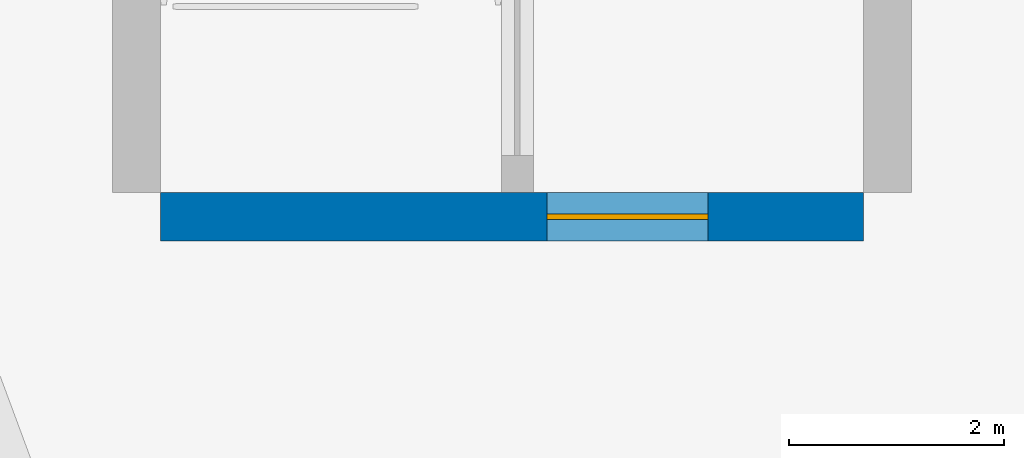
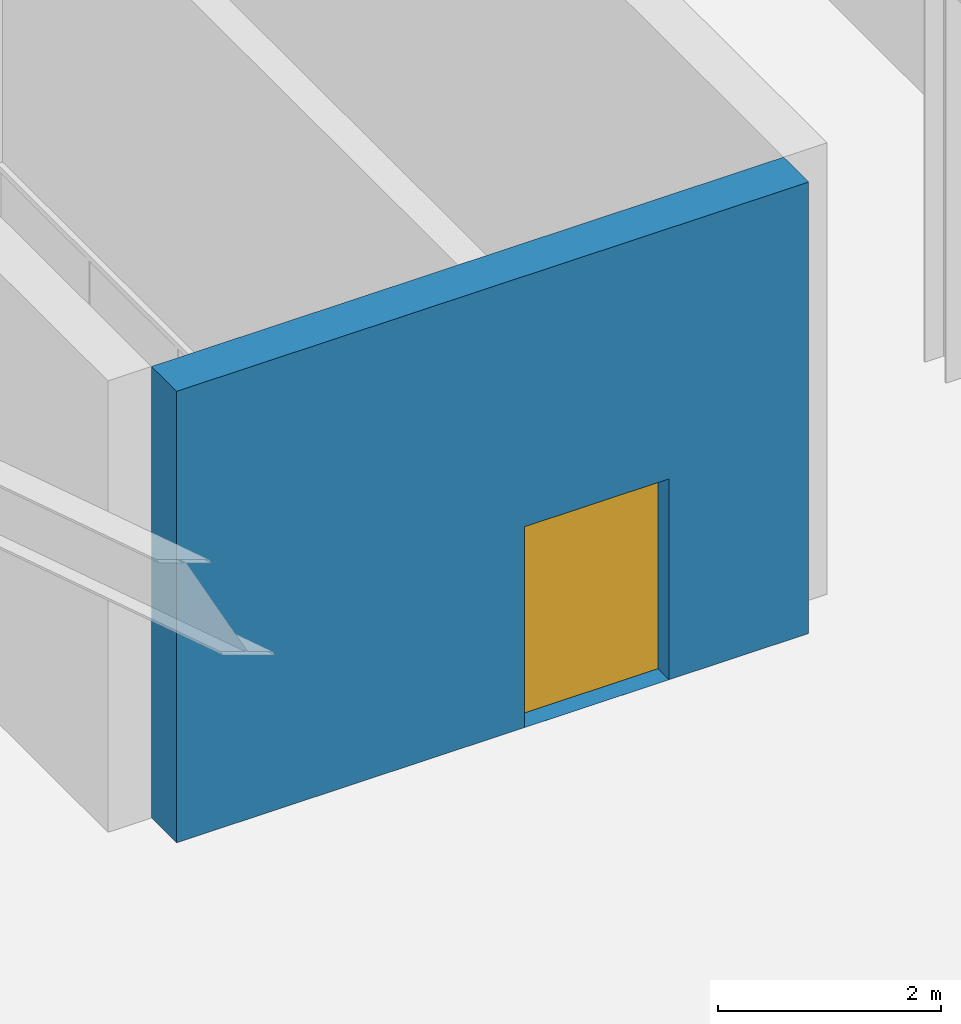
# One storey, part 103 of 113: 1 door, 1 wall, 1 opening.
"""IFC4 building model written with IfcOpenShell, lengths in metres."""

from ifc_helpers import new_model, si_unit, direction, frame, frame_2d, origin, place, context, subcontext, project, spatial, rectangle, extrude, material, layer, layer_set, type_object, element, fill, save


model = new_model("IFC4")

# Units and contexts
model_context = context("Model", 3, precision=1e-05, world=origin(), true_north=direction((0.0, 1.0)))
body_context = subcontext(model_context, "Body", "Model", "MODEL_VIEW")
ifc_project = project(units=[si_unit("LENGTHUNIT", "METRE"), si_unit("AREAUNIT", "SQUARE_METRE"), si_unit("VOLUMEUNIT", "CUBIC_METRE"), si_unit("PLANEANGLEUNIT", "RADIAN"), si_unit("MASSUNIT", "GRAM", prefix="KILO")], contexts=[model_context])

# Site, building, storey
site_placement = place(None, origin())
site = spatial("IfcSite", under=ifc_project, at=site_placement, CompositionType="ELEMENT")
building_placement = place(site_placement, origin())
building = spatial("IfcBuilding", under=site, at=building_placement, Name="Linyun Crest Stadium", CompositionType="ELEMENT")
storey_placement = place(building_placement, frame((0.0, 0.0, 26.39990234375)))
storey = spatial("IfcBuildingStorey", under=building, at=storey_placement, Name="L06", CompositionType="ELEMENT", Elevation=26.39990234375)

# Wall, opening, door
ifc_material_1 = material(Name="Concrete C50", Category="concrete")
ifc_layer_1 = layer(ifc_material_1, 0.449951171875)
ifc_layer_set_1 = layer_set([ifc_layer_1], Name="Concrete C50")
wall_type = type_object("IfcWallType", Name="CW03", PredefinedType="SHEAR", material=ifc_layer_set_1)
wall_placement = place(storey_placement, frame((70.22509765625, 77.75, 0.0), z_axis=(0.0, 0.0, 1.0), x_axis=(1.0, 0.0, 0.0)))
wall = element("IfcWall", 1, at=wall_placement, inside=storey, type_object=wall_type, Name="Core shear wall CW03 CORE-PNE L06.3", PredefinedType="SHEAR", context=body_context, shape_type="SweptSolid", body=[
    extrude(rectangle(XDim=6.5498046875, YDim=0.449951171875, at=frame_2d((3.27490234375, 0.0))), origin(), (0.0, 0.0, 1.0), 4.945068359375),
])
opening_placement = place(wall_placement, frame((3.60302734375, 0.0, 0.0)))
opening = element("IfcOpeningElement", 2, at=opening_placement, cuts=wall, Name="Opening D-L06-399", PredefinedType="OPENING", context=body_context, shape_type="SweptSolid", body=[
    extrude(rectangle(XDim=1.5, YDim=2.199951171875, at=frame_2d((0.75, 1.10009765625))), frame((0.0, 0.23486328125, 0.0), z_axis=(0.0, -1.0, 0.0), x_axis=(1.0, 0.0, 0.0)), (0.0, 0.0, 1.0), 0.469970703125),
])
ifc_material_2 = material(Name="Galvanized steel Class A fire door", Category="steel")
ifc_layer_2 = layer(ifc_material_2, 0.054931640625)
ifc_layer_set_2 = layer_set([ifc_layer_2], Name="Galvanized steel Class A fire door")
door_type = type_object("IfcDoorType", Name="FD01", OperationType="NOTDEFINED", PredefinedType="DOOR", material=ifc_layer_set_2)
door_placement = place(opening_placement, origin())
door = element("IfcDoor", 3, at=door_placement, inside=storey, type_object=door_type, Name="Door D-L06-399", OperationType="SINGLE_SWING_LEFT", OverallHeight=2.199951171875, OverallWidth=1.5, PredefinedType="DOOR", context=body_context, shape_type="SweptSolid", body=[
    extrude(rectangle(XDim=1.5, YDim=2.199951171875, at=frame_2d((0.75, 1.10009765625))), frame((0.0, 0.02490234375, 0.0), z_axis=(0.0, -1.0, 0.0), x_axis=(1.0, 0.0, 0.0)), (0.0, 0.0, 1.0), 0.050048828125),
])
fill(opening, door)

save(model, "model.ifc")
